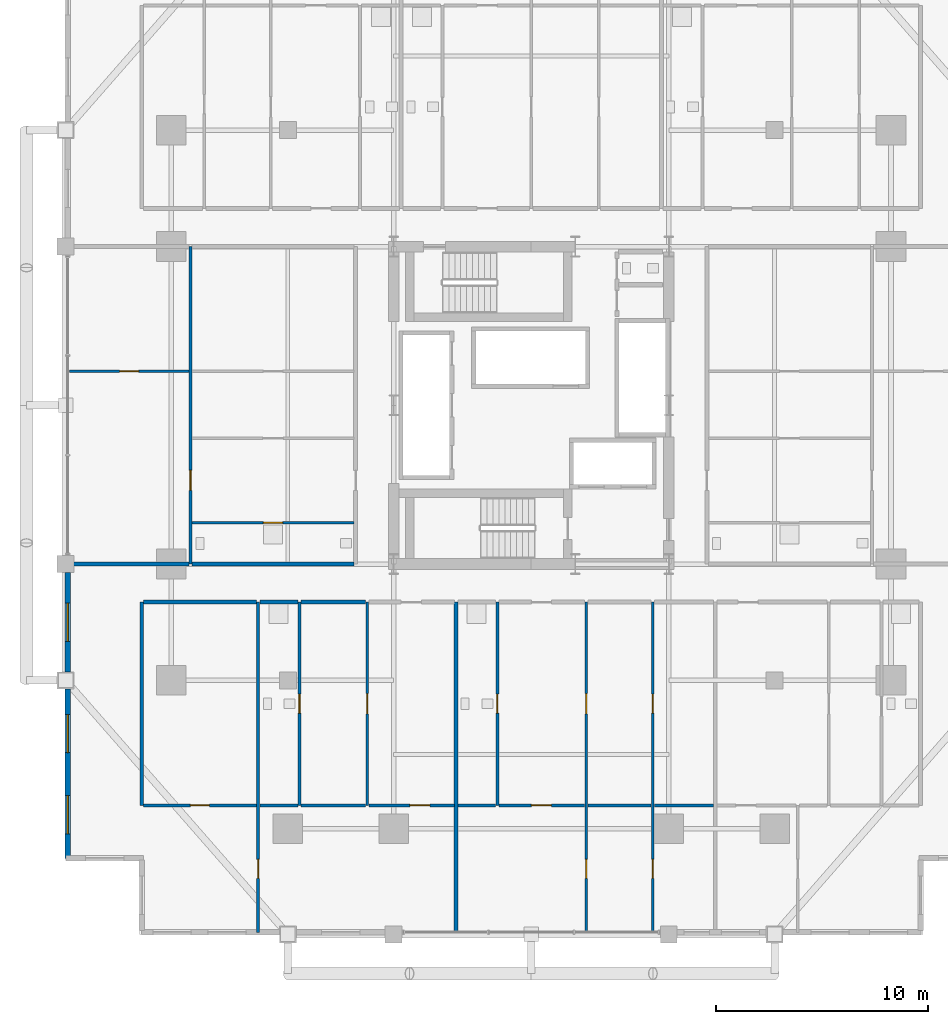
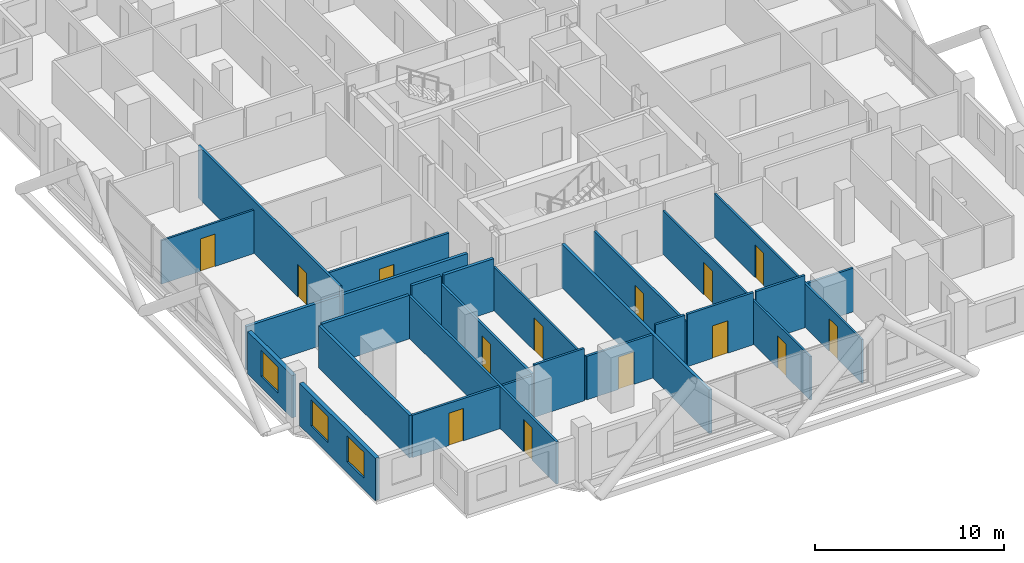
# One storey, part 21 of 28: 26 walls, 14 doors, 3 windows, 17 openings.
"""IFC4 building model written with IfcOpenShell, lengths in metres."""

from ifc_helpers import new_model, si_unit, direction, frame, frame_2d, origin, place, context, subcontext, project, spatial, rectangle, extrude, material, layer, layer_set, type_object, element, fill, save


model = new_model("IFC4")

# Units and contexts
model_context = context("Model", 3, precision=1e-05, world=origin(), true_north=direction((0.0, 1.0)))
body_context = subcontext(model_context, "Body", "Model", "MODEL_VIEW")
ifc_project = project(units=[si_unit("LENGTHUNIT", "METRE"), si_unit("AREAUNIT", "SQUARE_METRE"), si_unit("VOLUMEUNIT", "CUBIC_METRE"), si_unit("PLANEANGLEUNIT", "RADIAN"), si_unit("MASSUNIT", "GRAM", prefix="KILO")], contexts=[model_context])

# Site, building, storey
site_placement = place(None, origin())
site = spatial("IfcSite", under=ifc_project, at=site_placement, CompositionType="ELEMENT")
building_placement = place(site_placement, origin())
building = spatial("IfcBuilding", under=site, at=building_placement, Name="Barlavira Tower and Art Museum", CompositionType="ELEMENT")
storey_placement = place(building_placement, frame((0.0, 0.0, 39.60009765625)))
storey = spatial("IfcBuildingStorey", under=building, at=storey_placement, Name="L08", CompositionType="ELEMENT", Elevation=39.60009765625)

# Wall, opening, door
ifc_material_1 = material(Name="Gypsum acoustic stud partition", Category="gypsum")
ifc_layer_1 = layer(ifc_material_1, 0.1201171875, Name="Gypsum acoustic stud partition")
ifc_layer_set_1 = layer_set([ifc_layer_1], Name="Gypsum acoustic stud partition")
wall_type_1 = type_object("IfcWallType", Name="Apartment Internal Acoustic Partition 120", PredefinedType="PARTITIONING", material=ifc_layer_set_1)
wall_1_placement = place(storey_placement, frame((-7.75, -18.89990234375, 0.0), z_axis=(0.0, 0.0, 1.0), x_axis=(0.0, 1.0, 0.0)))
wall_1 = element("IfcWall", 1, at=wall_1_placement, inside=storey, type_object=wall_type_1, Name="L08 Partition Wall 10", PredefinedType="PARTITIONING", context=body_context, shape_type="SweptSolid", body=[
    extrude(rectangle(XDim=9.599853515625, YDim=0.1201171875, at=frame_2d((4.7998046875, 0.0))), origin(), (0.0, 0.0, 1.0), 2.81591796875),
])
opening_1_placement = place(wall_1_placement, frame((4.324951171875, 0.0, 0.0)))
opening_1 = element("IfcOpeningElement", 2, at=opening_1_placement, cuts=wall_1, Name="Opening D-02", PredefinedType="OPENING", context=body_context, shape_type="SweptSolid", body=[
    extrude(rectangle(XDim=0.949951171875, YDim=2.10009765625, at=frame_2d((0.47509765625, 1.050048828125))), frame((0.0, 0.070068359375, 0.0), z_axis=(0.0, -1.0, 0.0), x_axis=(1.0, 0.0, 0.0)), (0.0, 0.0, 1.0), 0.14013671875),
])
ifc_material_2 = material(Name="Engineered coastal hardwood", Category="wood")
door_type_1 = type_object("IfcDoorType", Name="Living and Salon Glazed-Leaf Door 950x2100", OperationType="NOTDEFINED", PredefinedType="DOOR", material=ifc_material_2)
door_1_placement = place(opening_1_placement, origin())
door_1 = element("IfcDoor", 3, at=door_1_placement, inside=storey, type_object=door_type_1, Name="Apartment S1 Kitchen Door", OperationType="SINGLE_SWING_LEFT", OverallHeight=2.10009765625, OverallWidth=0.949951171875, PredefinedType="DOOR", context=body_context, shape_type="SweptSolid", body=[
    extrude(rectangle(XDim=0.949951171875, YDim=2.10009765625, at=frame_2d((0.47509765625, 1.050048828125))), frame((0.0, 0.02490234375, 0.0), z_axis=(0.0, -1.0, 0.0), x_axis=(1.0, 0.0, 0.0)), (0.0, 0.0, 1.0), 0.050048828125),
])
fill(opening_1, door_1)

# Wall, openings, doors
wall_2_placement = place(storey_placement, frame((2.60009765625, -24.89990234375, 0.0), z_axis=(0.0, 0.0, 1.0), x_axis=(0.0, 1.0, 0.0)))
wall_2 = element("IfcWall", 4, at=wall_2_placement, inside=storey, type_object=wall_type_1, Name="L08 Partition Wall 16", PredefinedType="PARTITIONING", context=body_context, shape_type="SweptSolid", body=[
    extrude(rectangle(XDim=15.599853515625, YDim=0.1201171875, at=frame_2d((7.7998046875, 0.0))), origin(), (0.0, 0.0, 1.0), 2.81591796875),
])
opening_2_placement = place(wall_2_placement, frame((10.324951171875, 0.0, 0.0)))
opening_2 = element("IfcOpeningElement", 5, at=opening_2_placement, cuts=wall_2, Name="Opening D-02", PredefinedType="OPENING", context=body_context, shape_type="SweptSolid", body=[
    extrude(rectangle(XDim=0.949951171875, YDim=2.10009765625, at=frame_2d((0.47509765625, 1.050048828125))), frame((0.0, 0.070068359375, 0.0), z_axis=(0.0, -1.0, 0.0), x_axis=(1.0, 0.0, 0.0)), (0.0, 0.0, 1.0), 0.14013671875),
])
opening_3_placement = place(wall_2_placement, frame((2.550048828125, 0.0, 0.0)))
opening_3 = element("IfcOpeningElement", 6, at=opening_3_placement, cuts=wall_2, Name="Opening D-01", PredefinedType="OPENING", context=body_context, shape_type="SweptSolid", body=[
    extrude(rectangle(XDim=0.89990234375, YDim=2.10009765625, at=frame_2d((0.449951171875, 1.050048828125))), frame((0.0, 0.070068359375, 0.0), z_axis=(0.0, -1.0, 0.0), x_axis=(1.0, 0.0, 0.0)), (0.0, 0.0, 1.0), 0.14013671875),
])
door_type_2 = type_object("IfcDoorType", Name="Internal Bedroom Timber Flush Door 900x2100", OperationType="NOTDEFINED", PredefinedType="DOOR", material=ifc_material_2)
door_2_placement = place(opening_3_placement, origin())
door_2 = element("IfcDoor", 7, at=door_2_placement, inside=storey, type_object=door_type_2, Name="Apartment S2 Bedroom 1 Door", OperationType="SINGLE_SWING_LEFT", OverallHeight=2.10009765625, OverallWidth=0.89990234375, PredefinedType="DOOR", context=body_context, shape_type="SweptSolid", body=[
    extrude(rectangle(XDim=0.89990234375, YDim=2.10009765625, at=frame_2d((0.449951171875, 1.050048828125))), frame((0.0, 0.02490234375, 0.0), z_axis=(0.0, -1.0, 0.0), x_axis=(1.0, 0.0, 0.0)), (0.0, 0.0, 1.0), 0.050048828125),
])
fill(opening_3, door_2)
door_3_placement = place(opening_2_placement, origin())
door_3 = element("IfcDoor", 8, at=door_3_placement, inside=storey, type_object=door_type_1, Name="Apartment S2 Kitchen Door", OperationType="SINGLE_SWING_RIGHT", OverallHeight=2.10009765625, OverallWidth=0.949951171875, PredefinedType="DOOR", context=body_context, shape_type="SweptSolid", body=[
    extrude(rectangle(XDim=0.949951171875, YDim=2.10009765625, at=frame_2d((0.47509765625, 1.050048828125))), frame((0.0, 0.02490234375, 0.0), z_axis=(0.0, -1.0, 0.0), x_axis=(1.0, 0.0, 0.0)), (0.0, 0.0, 1.0), 0.050048828125),
])
fill(opening_2, door_3)

wall_3_placement = place(storey_placement, frame((5.75, -24.89990234375, 0.0), z_axis=(0.0, 0.0, 1.0), x_axis=(0.0, 1.0, 0.0)))
wall_3 = element("IfcWall", 9, at=wall_3_placement, inside=storey, type_object=wall_type_1, Name="L08 Partition Wall 19", PredefinedType="PARTITIONING", context=body_context, shape_type="SweptSolid", body=[
    extrude(rectangle(XDim=15.599853515625, YDim=0.1201171875, at=frame_2d((7.7998046875, 0.0))), origin(), (0.0, 0.0, 1.0), 2.81591796875),
])
opening_4_placement = place(wall_3_placement, frame((10.35009765625, 0.0, 0.0)))
opening_4 = element("IfcOpeningElement", 10, at=opening_4_placement, cuts=wall_3, Name="Opening D-01", PredefinedType="OPENING", context=body_context, shape_type="SweptSolid", body=[
    extrude(rectangle(XDim=0.89990234375, YDim=2.10009765625, at=frame_2d((0.449951171875, 1.050048828125))), frame((0.0, 0.070068359375, 0.0), z_axis=(0.0, -1.0, 0.0), x_axis=(1.0, 0.0, 0.0)), (0.0, 0.0, 1.0), 0.14013671875),
])
opening_5_placement = place(wall_3_placement, frame((2.550048828125, 0.0, 0.0)))
opening_5 = element("IfcOpeningElement", 11, at=opening_5_placement, cuts=wall_3, Name="Opening D-01", PredefinedType="OPENING", context=body_context, shape_type="SweptSolid", body=[
    extrude(rectangle(XDim=0.89990234375, YDim=2.10009765625, at=frame_2d((0.449951171875, 1.050048828125))), frame((0.0, 0.070068359375, 0.0), z_axis=(0.0, -1.0, 0.0), x_axis=(1.0, 0.0, 0.0)), (0.0, 0.0, 1.0), 0.14013671875),
])
door_4_placement = place(opening_4_placement, origin())
door_4 = element("IfcDoor", 12, at=door_4_placement, inside=storey, type_object=door_type_2, Name="Apartment S2 Walk-In Dressing Room Door", OperationType="SINGLE_SWING_LEFT", OverallHeight=2.10009765625, OverallWidth=0.89990234375, PredefinedType="DOOR", context=body_context, shape_type="SweptSolid", body=[
    extrude(rectangle(XDim=0.89990234375, YDim=2.10009765625, at=frame_2d((0.449951171875, 1.050048828125))), frame((0.0, 0.02490234375, 0.0), z_axis=(0.0, -1.0, 0.0), x_axis=(1.0, 0.0, 0.0)), (0.0, 0.0, 1.0), 0.050048828125),
])
fill(opening_4, door_4)
door_5_placement = place(opening_5_placement, origin())
door_5 = element("IfcDoor", 13, at=door_5_placement, inside=storey, type_object=door_type_2, Name="Apartment S2 Sunroom Lounge 2 Door", OperationType="SINGLE_SWING_RIGHT", OverallHeight=2.10009765625, OverallWidth=0.89990234375, PredefinedType="DOOR", context=body_context, shape_type="SweptSolid", body=[
    extrude(rectangle(XDim=0.89990234375, YDim=2.10009765625, at=frame_2d((0.449951171875, 1.050048828125))), frame((0.0, 0.02490234375, 0.0), z_axis=(0.0, -1.0, 0.0), x_axis=(1.0, 0.0, 0.0)), (0.0, 0.0, 1.0), 0.050048828125),
])
fill(opening_5, door_5)

# Wall, opening, door
wall_4_placement = place(storey_placement, frame((-21.820068359375, 1.60009765625, 0.0), z_axis=(0.0, 0.0, 1.0), x_axis=(1.0, 0.0, 0.0)))
wall_4 = element("IfcWall", 14, at=wall_4_placement, inside=storey, type_object=wall_type_1, Name="L08 Partition Wall 63", PredefinedType="PARTITIONING", context=body_context, shape_type="SweptSolid", body=[
    extrude(rectangle(XDim=5.64013671875, YDim=0.1201171875, at=frame_2d((2.820068359375, 0.0))), origin(), (0.0, 0.0, 1.0), 2.81591796875),
])
opening_6_placement = place(wall_4_placement, frame((2.3701171875, 0.0, 0.0)))
opening_6 = element("IfcOpeningElement", 15, at=opening_6_placement, cuts=wall_4, Name="Opening D-01", PredefinedType="OPENING", context=body_context, shape_type="SweptSolid", body=[
    extrude(rectangle(XDim=0.89990234375, YDim=2.10009765625, at=frame_2d((0.449951171875, 1.050048828125))), frame((0.0, 0.070068359375, 0.0), z_axis=(0.0, -1.0, 0.0), x_axis=(1.0, 0.0, 0.0)), (0.0, 0.0, 1.0), 0.14013671875),
])
door_6_placement = place(opening_6_placement, origin())
door_6 = element("IfcDoor", 16, at=door_6_placement, inside=storey, type_object=door_type_2, Name="Apartment W1 Bedroom 1 Door", OperationType="SINGLE_SWING_RIGHT", OverallHeight=2.10009765625, OverallWidth=0.89990234375, PredefinedType="DOOR", context=body_context, shape_type="SweptSolid", body=[
    extrude(rectangle(XDim=0.89990234375, YDim=2.10009765625, at=frame_2d((0.449951171875, 1.050048828125))), frame((0.0, 0.02490234375, 0.0), z_axis=(0.0, -1.0, 0.0), x_axis=(1.0, 0.0, 0.0)), (0.0, 0.0, 1.0), 0.050048828125),
])
fill(opening_6, door_6)

# Walls
ifc_layer_2 = layer(ifc_material_1, 0.179931640625, Name="Gypsum acoustic stud partition")
ifc_layer_set_2 = layer_set([ifc_layer_2], Name="Gypsum acoustic stud partition")
wall_type_2 = type_object("IfcWallType", Name="Inter-Tenancy Party Partition Wall 180", PredefinedType="PARTITIONING", material=ifc_layer_set_2)
wall_5_placement = place(storey_placement, frame((-18.39990234375, -18.89990234375, 0.0), z_axis=(0.0, 0.0, 1.0), x_axis=(0.0, 1.0, 0.0)))
element("IfcWall", 17, at=wall_5_placement, inside=storey, type_object=wall_type_2, Name="L08 Partition Wall 1", PredefinedType="PARTITIONING", context=body_context, shape_type="SweptSolid", body=[
    extrude(rectangle(XDim=9.599853515625, YDim=0.179931640625, at=frame_2d((4.7998046875, 0.0))), origin(), (0.0, 0.0, 1.0), 2.73583984375),
])
wall_6_placement = place(storey_placement, frame((-3.550048828125, -24.89990234375, 0.0), z_axis=(0.0, 0.0, 1.0), x_axis=(0.0, 1.0, 0.0)))
element("IfcWall", 18, at=wall_6_placement, inside=storey, type_object=wall_type_2, Name="L08 Partition Wall 13", PredefinedType="PARTITIONING", context=body_context, shape_type="SweptSolid", body=[
    extrude(rectangle(XDim=15.599853515625, YDim=0.179931640625, at=frame_2d((7.7998046875, 0.0))), origin(), (0.0, 0.0, 1.0), 2.81591796875),
])
wall_7_placement = place(storey_placement, frame((-18.320068359375, -9.300048828125, 0.0), z_axis=(0.0, 0.0, 1.0), x_axis=(1.0, 0.0, 0.0)))
element("IfcWall", 19, at=wall_7_placement, inside=storey, type_object=wall_type_2, Name="L08 Partition Wall 44", PredefinedType="PARTITIONING", context=body_context, shape_type="SweptSolid", body=[
    extrude(rectangle(XDim=5.340087890625, YDim=0.179931640625, at=frame_2d((2.669921875, 0.0))), origin(), (0.0, 0.0, 1.0), 2.81591796875),
])
wall_8_placement = place(storey_placement, frame((-12.820068359375, -9.300048828125, 0.0), z_axis=(0.0, 0.0, 1.0), x_axis=(1.0, 0.0, 0.0)))
element("IfcWall", 20, at=wall_8_placement, inside=storey, type_object=wall_type_2, Name="L08 Partition Wall 45", PredefinedType="PARTITIONING", context=body_context, shape_type="SweptSolid", body=[
    extrude(rectangle(XDim=1.7900390625, YDim=0.179931640625, at=frame_2d((0.89501953125, 0.0))), origin(), (0.0, 0.0, 1.0), 3.3798828125),
])
wall_9_placement = place(storey_placement, frame((-10.8701171875, -9.300048828125, 0.0), z_axis=(0.0, 0.0, 1.0), x_axis=(1.0, 0.0, 0.0)))
element("IfcWall", 21, at=wall_9_placement, inside=storey, type_object=wall_type_2, Name="L08 Partition Wall 46", PredefinedType="PARTITIONING", context=body_context, shape_type="SweptSolid", body=[
    extrude(rectangle(XDim=3.0400390625, YDim=0.179931640625, at=frame_2d((1.52001953125, 0.0))), origin(), (0.0, 0.0, 1.0), 3.3798828125),
])
wall_10_placement = place(storey_placement, frame((-21.89990234375, -7.5, 0.0), z_axis=(0.0, 0.0, 1.0), x_axis=(1.0, 0.0, 0.0)))
element("IfcWall", 22, at=wall_10_placement, inside=storey, type_object=wall_type_2, Name="L08 Partition Wall 55", PredefinedType="PARTITIONING", context=body_context, shape_type="SweptSolid", body=[
    extrude(rectangle(XDim=5.719970703125, YDim=0.179931640625, at=frame_2d((2.85986328125, 0.0))), origin(), (0.0, 0.0, 1.0), 2.81591796875),
])
wall_11_placement = place(storey_placement, frame((-16.02001953125, -7.5, 0.0), z_axis=(0.0, 0.0, 1.0), x_axis=(1.0, 0.0, 0.0)))
element("IfcWall", 23, at=wall_11_placement, inside=storey, type_object=wall_type_2, Name="L08 Partition Wall 56", PredefinedType="PARTITIONING", context=body_context, shape_type="SweptSolid", body=[
    extrude(rectangle(XDim=7.64013671875, YDim=0.179931640625, at=frame_2d((3.820068359375, 0.0))), origin(), (0.0, 0.0, 1.0), 2.81591796875),
])

# Wall, opening, door
ifc_layer_3 = layer(ifc_material_1, 0.139892578125, Name="Gypsum acoustic stud partition")
ifc_layer_set_3 = layer_set([ifc_layer_3], Name="Gypsum acoustic stud partition")
wall_type_3 = type_object("IfcWallType", Name="Moisture-Resistant Bathroom Partition 140", PredefinedType="PARTITIONING", material=ifc_layer_set_3)
wall_12_placement = place(storey_placement, frame((-16.10009765625, -7.5, 0.0), z_axis=(0.0, 0.0, 1.0), x_axis=(0.0, 1.0, 0.0)))
wall_12 = element("IfcWall", 24, at=wall_12_placement, inside=storey, type_object=wall_type_3, Name="L08 Partition Wall 3", PredefinedType="PARTITIONING", context=body_context, shape_type="SweptSolid", body=[
    extrude(rectangle(XDim=15.0, YDim=0.139892578125, at=frame_2d((7.5, 0.0))), origin(), (0.0, 0.0, 1.0), 3.3798828125),
])
opening_7_placement = place(wall_12_placement, frame((3.47509765625, 0.0, 0.0)))
opening_7 = element("IfcOpeningElement", 25, at=opening_7_placement, cuts=wall_12, Name="Opening D-02", PredefinedType="OPENING", context=body_context, shape_type="SweptSolid", body=[
    extrude(rectangle(XDim=0.949951171875, YDim=2.10009765625, at=frame_2d((0.47509765625, 1.050048828125))), frame((0.0, 0.080078125, 0.0), z_axis=(0.0, -1.0, 0.0), x_axis=(1.0, 0.0, 0.0)), (0.0, 0.0, 1.0), 0.159912109375),
])
door_7_placement = place(opening_7_placement, origin())
door_7 = element("IfcDoor", 26, at=door_7_placement, inside=storey, type_object=door_type_1, Name="Apartment W1 Living Lounge Door", OperationType="SINGLE_SWING_LEFT", OverallHeight=2.10009765625, OverallWidth=0.949951171875, PredefinedType="DOOR", context=body_context, shape_type="SweptSolid", body=[
    extrude(rectangle(XDim=0.949951171875, YDim=2.10009765625, at=frame_2d((0.47509765625, 1.050048828125))), frame((0.0, 0.02490234375, 0.0), z_axis=(0.0, -1.0, 0.0), x_axis=(1.0, 0.0, 0.0)), (0.0, 0.0, 1.0), 0.050048828125),
])
fill(opening_7, door_7)

wall_13_placement = place(storey_placement, frame((-12.89990234375, -24.89990234375, 0.0), z_axis=(0.0, 0.0, 1.0), x_axis=(0.0, 1.0, 0.0)))
wall_13 = element("IfcWall", 27, at=wall_13_placement, inside=storey, type_object=wall_type_3, Name="L08 Partition Wall 5", PredefinedType="PARTITIONING", context=body_context, shape_type="SweptSolid", body=[
    extrude(rectangle(XDim=15.599853515625, YDim=0.139892578125, at=frame_2d((7.7998046875, 0.0))), origin(), (0.0, 0.0, 1.0), 2.73583984375),
])
opening_8_placement = place(wall_13_placement, frame((2.550048828125, 0.0, 0.0)))
opening_8 = element("IfcOpeningElement", 28, at=opening_8_placement, cuts=wall_13, Name="Opening D-01", PredefinedType="OPENING", context=body_context, shape_type="SweptSolid", body=[
    extrude(rectangle(XDim=0.89990234375, YDim=2.10009765625, at=frame_2d((0.449951171875, 1.050048828125))), frame((0.0, 0.080078125, 0.0), z_axis=(0.0, -1.0, 0.0), x_axis=(1.0, 0.0, 0.0)), (0.0, 0.0, 1.0), 0.159912109375),
])
door_8_placement = place(opening_8_placement, origin())
door_8 = element("IfcDoor", 29, at=door_8_placement, inside=storey, type_object=door_type_2, Name="Apartment S1 Bedroom 1 Door", OperationType="SINGLE_SWING_LEFT", OverallHeight=2.10009765625, OverallWidth=0.89990234375, PredefinedType="DOOR", context=body_context, shape_type="SweptSolid", body=[
    extrude(rectangle(XDim=0.89990234375, YDim=2.10009765625, at=frame_2d((0.449951171875, 1.050048828125))), frame((0.0, 0.02490234375, 0.0), z_axis=(0.0, -1.0, 0.0), x_axis=(1.0, 0.0, 0.0)), (0.0, 0.0, 1.0), 0.050048828125),
])
fill(opening_8, door_8)

wall_14_placement = place(storey_placement, frame((-10.949951171875, -18.89990234375, 0.0), z_axis=(0.0, 0.0, 1.0), x_axis=(0.0, 1.0, 0.0)))
wall_14 = element("IfcWall", 30, at=wall_14_placement, inside=storey, type_object=wall_type_3, Name="L08 Partition Wall 7", PredefinedType="PARTITIONING", context=body_context, shape_type="SweptSolid", body=[
    extrude(rectangle(XDim=9.599853515625, YDim=0.139892578125, at=frame_2d((4.7998046875, 0.0))), origin(), (0.0, 0.0, 1.0), 2.81591796875),
])
opening_9_placement = place(wall_14_placement, frame((4.35009765625, 0.0, 0.0)))
opening_9 = element("IfcOpeningElement", 31, at=opening_9_placement, cuts=wall_14, Name="Opening D-WC", PredefinedType="OPENING", context=body_context, shape_type="SweptSolid", body=[
    extrude(rectangle(XDim=0.89990234375, YDim=2.10009765625, at=frame_2d((0.449951171875, 1.050048828125))), frame((0.0, 0.080078125, 0.0), z_axis=(0.0, -1.0, 0.0), x_axis=(1.0, 0.0, 0.0)), (0.0, 0.0, 1.0), 0.159912109375),
])
door_type_3 = type_object("IfcDoorType", Name="Accessible Bathroom Flush Door 900x2100", OperationType="NOTDEFINED", PredefinedType="DOOR", material=ifc_material_2)
door_9_placement = place(opening_9_placement, origin())
door_9 = element("IfcDoor", 32, at=door_9_placement, inside=storey, type_object=door_type_3, Name="Apartment S1 Hall Bathroom Door", OperationType="SINGLE_SWING_RIGHT", OverallHeight=2.10009765625, OverallWidth=0.89990234375, PredefinedType="DOOR", context=body_context, shape_type="SweptSolid", body=[
    extrude(rectangle(XDim=0.89990234375, YDim=2.10009765625, at=frame_2d((0.449951171875, 1.050048828125))), frame((0.0, 0.02490234375, 0.0), z_axis=(0.0, -1.0, 0.0), x_axis=(1.0, 0.0, 0.0)), (0.0, 0.0, 1.0), 0.050048828125),
])
fill(opening_9, door_9)

wall_15_placement = place(storey_placement, frame((-1.60009765625, -18.89990234375, 0.0), z_axis=(0.0, 0.0, 1.0), x_axis=(0.0, 1.0, 0.0)))
wall_15 = element("IfcWall", 33, at=wall_15_placement, inside=storey, type_object=wall_type_3, Name="L08 Partition Wall 14", PredefinedType="PARTITIONING", context=body_context, shape_type="SweptSolid", body=[
    extrude(rectangle(XDim=9.599853515625, YDim=0.139892578125, at=frame_2d((4.7998046875, 0.0))), origin(), (0.0, 0.0, 1.0), 2.947998046875),
])
opening_10_placement = place(wall_15_placement, frame((4.35009765625, 0.0, 0.0)))
opening_10 = element("IfcOpeningElement", 34, at=opening_10_placement, cuts=wall_15, Name="Opening D-WC", PredefinedType="OPENING", context=body_context, shape_type="SweptSolid", body=[
    extrude(rectangle(XDim=0.89990234375, YDim=2.10009765625, at=frame_2d((0.449951171875, 1.050048828125))), frame((0.0, 0.080078125, 0.0), z_axis=(0.0, -1.0, 0.0), x_axis=(1.0, 0.0, 0.0)), (0.0, 0.0, 1.0), 0.159912109375),
])
door_10_placement = place(opening_10_placement, origin())
door_10 = element("IfcDoor", 35, at=door_10_placement, inside=storey, type_object=door_type_3, Name="Apartment S2 Hall Bathroom Door", OperationType="SINGLE_SWING_RIGHT", OverallHeight=2.10009765625, OverallWidth=0.89990234375, PredefinedType="DOOR", context=body_context, shape_type="SweptSolid", body=[
    extrude(rectangle(XDim=0.89990234375, YDim=2.10009765625, at=frame_2d((0.449951171875, 1.050048828125))), frame((0.0, 0.02490234375, 0.0), z_axis=(0.0, -1.0, 0.0), x_axis=(1.0, 0.0, 0.0)), (0.0, 0.0, 1.0), 0.050048828125),
])
fill(opening_10, door_10)

wall_16_placement = place(storey_placement, frame((-18.320068359375, -18.89990234375, 0.0), z_axis=(0.0, 0.0, 1.0), x_axis=(1.0, 0.0, 0.0)))
wall_16 = element("IfcWall", 36, at=wall_16_placement, inside=storey, type_object=wall_type_3, Name="L08 Partition Wall 32", PredefinedType="PARTITIONING", context=body_context, shape_type="SweptSolid", body=[
    extrude(rectangle(XDim=5.340087890625, YDim=0.139892578125, at=frame_2d((2.669921875, 0.0))), origin(), (0.0, 0.0, 1.0), 2.73583984375),
])
opening_11_placement = place(wall_16_placement, frame((2.2099609375, 0.0, 0.0)))
opening_11 = element("IfcOpeningElement", 37, at=opening_11_placement, cuts=wall_16, Name="Opening D-01", PredefinedType="OPENING", context=body_context, shape_type="SweptSolid", body=[
    extrude(rectangle(XDim=0.89990234375, YDim=2.10009765625, at=frame_2d((0.449951171875, 1.050048828125))), frame((0.0, 0.080078125, 0.0), z_axis=(0.0, -1.0, 0.0), x_axis=(1.0, 0.0, 0.0)), (0.0, 0.0, 1.0), 0.159912109375),
])
door_11_placement = place(opening_11_placement, origin())
door_11 = element("IfcDoor", 38, at=door_11_placement, inside=storey, type_object=door_type_2, Name="Apartment S1 Walk-In Dressing Room Door", OperationType="SINGLE_SWING_LEFT", OverallHeight=2.10009765625, OverallWidth=0.89990234375, PredefinedType="DOOR", context=body_context, shape_type="SweptSolid", body=[
    extrude(rectangle(XDim=0.89990234375, YDim=2.10009765625, at=frame_2d((0.449951171875, 1.050048828125))), frame((0.0, 0.02490234375, 0.0), z_axis=(0.0, -1.0, 0.0), x_axis=(1.0, 0.0, 0.0)), (0.0, 0.0, 1.0), 0.050048828125),
])
fill(opening_11, door_11)

# Walls
wall_17_placement = place(storey_placement, frame((-12.820068359375, -18.89990234375, 0.0), z_axis=(0.0, 0.0, 1.0), x_axis=(1.0, 0.0, 0.0)))
element("IfcWall", 39, at=wall_17_placement, inside=storey, type_object=wall_type_3, Name="L08 Partition Wall 33", PredefinedType="PARTITIONING", context=body_context, shape_type="SweptSolid", body=[
    extrude(rectangle(XDim=1.7900390625, YDim=0.139892578125, at=frame_2d((0.89501953125, 0.0))), origin(), (0.0, 0.0, 1.0), 2.73583984375),
])
wall_18_placement = place(storey_placement, frame((-10.8701171875, -18.89990234375, 0.0), z_axis=(0.0, 0.0, 1.0), x_axis=(1.0, 0.0, 0.0)))
element("IfcWall", 40, at=wall_18_placement, inside=storey, type_object=wall_type_3, Name="L08 Partition Wall 34", PredefinedType="PARTITIONING", context=body_context, shape_type="SweptSolid", body=[
    extrude(rectangle(XDim=3.0400390625, YDim=0.139892578125, at=frame_2d((1.52001953125, 0.0))), origin(), (0.0, 0.0, 1.0), 3.3798828125),
])

# Wall, opening, door
wall_19_placement = place(storey_placement, frame((-7.669921875, -18.89990234375, 0.0), z_axis=(0.0, 0.0, 1.0), x_axis=(1.0, 0.0, 0.0)))
wall_19 = element("IfcWall", 41, at=wall_19_placement, inside=storey, type_object=wall_type_3, Name="L08 Partition Wall 35", PredefinedType="PARTITIONING", context=body_context, shape_type="SweptSolid", body=[
    extrude(rectangle(XDim=4.0400390625, YDim=0.139892578125, at=frame_2d((2.02001953125, 0.0))), origin(), (0.0, 0.0, 1.0), 2.81591796875),
])
opening_12_placement = place(wall_19_placement, frame((1.93359375, 0.0, 0.0)))
opening_12 = element("IfcOpeningElement", 42, at=opening_12_placement, cuts=wall_19, Name="Opening D-02", PredefinedType="OPENING", context=body_context, shape_type="SweptSolid", body=[
    extrude(rectangle(XDim=0.949951171875, YDim=2.10009765625, at=frame_2d((0.47509765625, 1.050048828125))), frame((0.0, 0.080078125, 0.0), z_axis=(0.0, -1.0, 0.0), x_axis=(1.0, 0.0, 0.0)), (0.0, 0.0, 1.0), 0.159912109375),
])
door_12_placement = place(opening_12_placement, origin())
door_12 = element("IfcDoor", 43, at=door_12_placement, inside=storey, type_object=door_type_1, Name="Apartment S1 Living Lounge Door", OperationType="SINGLE_SWING_RIGHT", OverallHeight=2.10009765625, OverallWidth=0.949951171875, PredefinedType="DOOR", context=body_context, shape_type="SweptSolid", body=[
    extrude(rectangle(XDim=0.949951171875, YDim=2.10009765625, at=frame_2d((0.47509765625, 1.050048828125))), frame((0.0, 0.02490234375, 0.0), z_axis=(0.0, -1.0, 0.0), x_axis=(1.0, 0.0, 0.0)), (0.0, 0.0, 1.0), 0.050048828125),
])
fill(opening_12, door_12)

# Wall
wall_20_placement = place(storey_placement, frame((-3.469970703125, -18.89990234375, 0.0), z_axis=(0.0, 0.0, 1.0), x_axis=(1.0, 0.0, 0.0)))
element("IfcWall", 44, at=wall_20_placement, inside=storey, type_object=wall_type_3, Name="L08 Partition Wall 36", PredefinedType="PARTITIONING", context=body_context, shape_type="SweptSolid", body=[
    extrude(rectangle(XDim=1.7900390625, YDim=0.139892578125, at=frame_2d((0.89501953125, 0.0))), origin(), (0.0, 0.0, 1.0), 3.3798828125),
])

# Wall, opening, door
wall_21_placement = place(storey_placement, frame((-1.52001953125, -18.89990234375, 0.0), z_axis=(0.0, 0.0, 1.0), x_axis=(1.0, 0.0, 0.0)))
wall_21 = element("IfcWall", 45, at=wall_21_placement, inside=storey, type_object=wall_type_3, Name="L08 Partition Wall 37", PredefinedType="PARTITIONING", context=body_context, shape_type="SweptSolid", body=[
    extrude(rectangle(XDim=4.0400390625, YDim=0.139892578125, at=frame_2d((2.02001953125, 0.0))), origin(), (0.0, 0.0, 1.0), 3.3798828125),
])
opening_13_placement = place(wall_21_placement, frame((1.52490234375, 0.0, 0.0)))
opening_13 = element("IfcOpeningElement", 46, at=opening_13_placement, cuts=wall_21, Name="Opening D-02", PredefinedType="OPENING", context=body_context, shape_type="SweptSolid", body=[
    extrude(rectangle(XDim=0.949951171875, YDim=2.10009765625, at=frame_2d((0.47509765625, 1.050048828125))), frame((0.0, 0.080078125, 0.0), z_axis=(0.0, -1.0, 0.0), x_axis=(1.0, 0.0, 0.0)), (0.0, 0.0, 1.0), 0.159912109375),
])
door_13_placement = place(opening_13_placement, origin())
door_13 = element("IfcDoor", 47, at=door_13_placement, inside=storey, type_object=door_type_1, Name="Apartment S2 Living Lounge Door", OperationType="SINGLE_SWING_RIGHT", OverallHeight=2.10009765625, OverallWidth=0.949951171875, PredefinedType="DOOR", context=body_context, shape_type="SweptSolid", body=[
    extrude(rectangle(XDim=0.949951171875, YDim=2.10009765625, at=frame_2d((0.47509765625, 1.050048828125))), frame((0.0, 0.02490234375, 0.0), z_axis=(0.0, -1.0, 0.0), x_axis=(1.0, 0.0, 0.0)), (0.0, 0.0, 1.0), 0.050048828125),
])
fill(opening_13, door_13)

# Walls
wall_22_placement = place(storey_placement, frame((2.679931640625, -18.89990234375, 0.0), z_axis=(0.0, 0.0, 1.0), x_axis=(1.0, 0.0, 0.0)))
element("IfcWall", 48, at=wall_22_placement, inside=storey, type_object=wall_type_3, Name="L08 Partition Wall 38", PredefinedType="PARTITIONING", context=body_context, shape_type="SweptSolid", body=[
    extrude(rectangle(XDim=2.989990234375, YDim=0.139892578125, at=frame_2d((1.4951171875, 0.0))), origin(), (0.0, 0.0, 1.0), 3.3798828125),
])
wall_23_placement = place(storey_placement, frame((5.830078125, -18.89990234375, 0.0), z_axis=(0.0, 0.0, 1.0), x_axis=(1.0, 0.0, 0.0)))
element("IfcWall", 49, at=wall_23_placement, inside=storey, type_object=wall_type_3, Name="L08 Partition Wall 39", PredefinedType="PARTITIONING", context=body_context, shape_type="SweptSolid", body=[
    extrude(rectangle(XDim=2.7900390625, YDim=0.139892578125, at=frame_2d((1.39501953125, 0.0))), origin(), (0.0, 0.0, 1.0), 2.81591796875),
])

# Wall, opening, door
wall_24_placement = place(storey_placement, frame((-16.02001953125, -5.550048828125, 0.0), z_axis=(0.0, 0.0, 1.0), x_axis=(1.0, 0.0, 0.0)))
wall_24 = element("IfcWall", 50, at=wall_24_placement, inside=storey, type_object=wall_type_3, Name="L08 Partition Wall 59", PredefinedType="PARTITIONING", context=body_context, shape_type="SweptSolid", body=[
    extrude(rectangle(XDim=7.64013671875, YDim=0.139892578125, at=frame_2d((3.820068359375, 0.0))), origin(), (0.0, 0.0, 1.0), 2.947998046875),
])
opening_14_placement = place(wall_24_placement, frame((3.3701171875, 0.0, 0.0)))
opening_14 = element("IfcOpeningElement", 51, at=opening_14_placement, cuts=wall_24, Name="Opening D-WC", PredefinedType="OPENING", context=body_context, shape_type="SweptSolid", body=[
    extrude(rectangle(XDim=0.89990234375, YDim=2.10009765625, at=frame_2d((0.449951171875, 1.050048828125))), frame((0.0, 0.080078125, 0.0), z_axis=(0.0, -1.0, 0.0), x_axis=(1.0, 0.0, 0.0)), (0.0, 0.0, 1.0), 0.159912109375),
])
door_14_placement = place(opening_14_placement, origin())
door_14 = element("IfcDoor", 52, at=door_14_placement, inside=storey, type_object=door_type_3, Name="Apartment W1 Hall Bathroom Door", OperationType="SINGLE_SWING_LEFT", OverallHeight=2.10009765625, OverallWidth=0.89990234375, PredefinedType="DOOR", context=body_context, shape_type="SweptSolid", body=[
    extrude(rectangle(XDim=0.89990234375, YDim=2.10009765625, at=frame_2d((0.449951171875, 1.050048828125))), frame((0.0, 0.02490234375, 0.0), z_axis=(0.0, -1.0, 0.0), x_axis=(1.0, 0.0, 0.0)), (0.0, 0.0, 1.0), 0.050048828125),
])
fill(opening_14, door_14)

# Wall, opening, window
ifc_material_3 = material(Name="Precast concrete C40", Category="concrete")
ifc_layer_4 = layer(ifc_material_3, 0.25, Name="Precast concrete C40")
ifc_layer_set_4 = layer_set([ifc_layer_4], Name="Precast concrete C40")
wall_type_4 = type_object("IfcWallType", Name="Notched Corner Spandrel Wall 250 Precast Concrete C40", PredefinedType="SOLIDWALL", material=ifc_layer_set_4)
wall_25_placement = place(storey_placement, frame((-21.89990234375, -7.89501953125, 0.0), z_axis=(0.0, 0.0, 1.0), x_axis=(0.0, -1.0, 0.0)))
wall_25 = element("IfcWall", 53, at=wall_25_placement, inside=storey, type_object=wall_type_4, Name="L08 Coastal Facade Pier Wall CW1-L08-W-4", PredefinedType="SOLIDWALL", context=body_context, shape_type="SweptSolid", body=[
    extrude(rectangle(XDim=4.7099609375, YDim=0.25, at=frame_2d((2.35498046875, 0.0))), origin(), (0.0, 0.0, 1.0), 2.73583984375),
])
opening_15_placement = place(wall_25_placement, frame((1.455078125, 0.0, 0.719970703125)))
opening_15 = element("IfcOpeningElement", 54, at=opening_15_placement, cuts=wall_25, Name="Opening WN-01", PredefinedType="OPENING", context=body_context, shape_type="SweptSolid", body=[
    extrude(rectangle(XDim=1.800048828125, YDim=1.679931640625, at=frame_2d((0.89990234375, 0.83984375))), frame((0.0, 0.135009765625, 0.0), z_axis=(0.0, -1.0, 0.0), x_axis=(1.0, 0.0, 0.0)), (0.0, 0.0, 1.0), 0.27001953125),
])
ifc_material_4 = material(Name="Low-iron coastal laminated glass", Category="glass")
window_type = type_object("IfcWindowType", Name="Recessed Notch Corner Punch Window 1800x1680", PartitioningType="SINGLE_PANEL", PredefinedType="WINDOW", material=ifc_material_4)
window_1_placement = place(opening_15_placement, origin())
window_1 = element("IfcWindow", 55, at=window_1_placement, inside=storey, type_object=window_type, Name="L08 Punched Facade Window EWP-CW1-L08-W-4-1", OverallHeight=1.679931640625, OverallWidth=1.800048828125, PartitioningType="SINGLE_PANEL", PredefinedType="WINDOW", context=body_context, shape_type="SweptSolid", body=[
    extrude(rectangle(XDim=1.800048828125, YDim=1.679931640625, at=frame_2d((0.89990234375, 0.83984375))), frame((0.0, 0.030029296875, 0.0), z_axis=(0.0, -1.0, 0.0), x_axis=(1.0, 0.0, 0.0)), (0.0, 0.0, 1.0), 0.06005859375),
])
fill(opening_15, window_1)

# Wall, openings, windows
wall_26_placement = place(storey_placement, frame((-21.89990234375, -13.39501953125, 0.0), z_axis=(0.0, 0.0, 1.0), x_axis=(0.0, -1.0, 0.0)))
wall_26 = element("IfcWall", 56, at=wall_26_placement, inside=storey, type_object=wall_type_4, Name="L08 Coastal Facade Pier Wall CW1-L08-W-5", PredefinedType="SOLIDWALL", context=body_context, shape_type="SweptSolid", body=[
    extrude(rectangle(XDim=8.030029296875, YDim=0.25, at=frame_2d((4.01513671875, 0.0))), origin(), (0.0, 0.0, 1.0), 2.73583984375),
])
opening_16_placement = place(wall_26_placement, frame((1.220947265625, 0.0, 0.719970703125)))
opening_16 = element("IfcOpeningElement", 57, at=opening_16_placement, cuts=wall_26, Name="Opening WN-01", PredefinedType="OPENING", context=body_context, shape_type="SweptSolid", body=[
    extrude(rectangle(XDim=1.800048828125, YDim=1.679931640625, at=frame_2d((0.89990234375, 0.83984375))), frame((0.0, 0.135009765625, 0.0), z_axis=(0.0, -1.0, 0.0), x_axis=(1.0, 0.0, 0.0)), (0.0, 0.0, 1.0), 0.27001953125),
])
opening_17_placement = place(wall_26_placement, frame((5.053955078125, 0.0, 0.719970703125)))
opening_17 = element("IfcOpeningElement", 58, at=opening_17_placement, cuts=wall_26, Name="Opening WN-01", PredefinedType="OPENING", context=body_context, shape_type="SweptSolid", body=[
    extrude(rectangle(XDim=1.800048828125, YDim=1.679931640625, at=frame_2d((0.89990234375, 0.83984375))), frame((0.0, 0.135009765625, 0.0), z_axis=(0.0, -1.0, 0.0), x_axis=(1.0, 0.0, 0.0)), (0.0, 0.0, 1.0), 0.27001953125),
])
window_2_placement = place(opening_16_placement, origin())
window_2 = element("IfcWindow", 59, at=window_2_placement, inside=storey, type_object=window_type, Name="L08 Punched Facade Window EWP-CW1-L08-W-5-1", OverallHeight=1.679931640625, OverallWidth=1.800048828125, PartitioningType="SINGLE_PANEL", PredefinedType="WINDOW", context=body_context, shape_type="SweptSolid", body=[
    extrude(rectangle(XDim=1.800048828125, YDim=1.679931640625, at=frame_2d((0.89990234375, 0.83984375))), frame((0.0, 0.030029296875, 0.0), z_axis=(0.0, -1.0, 0.0), x_axis=(1.0, 0.0, 0.0)), (0.0, 0.0, 1.0), 0.06005859375),
])
fill(opening_16, window_2)
window_3_placement = place(opening_17_placement, origin())
window_3 = element("IfcWindow", 60, at=window_3_placement, inside=storey, type_object=window_type, Name="L08 Punched Facade Window EWP-CW1-L08-W-5-2", OverallHeight=1.679931640625, OverallWidth=1.800048828125, PartitioningType="SINGLE_PANEL", PredefinedType="WINDOW", context=body_context, shape_type="SweptSolid", body=[
    extrude(rectangle(XDim=1.800048828125, YDim=1.679931640625, at=frame_2d((0.89990234375, 0.83984375))), frame((0.0, 0.030029296875, 0.0), z_axis=(0.0, -1.0, 0.0), x_axis=(1.0, 0.0, 0.0)), (0.0, 0.0, 1.0), 0.06005859375),
])
fill(opening_17, window_3)

save(model, "model.ifc")
